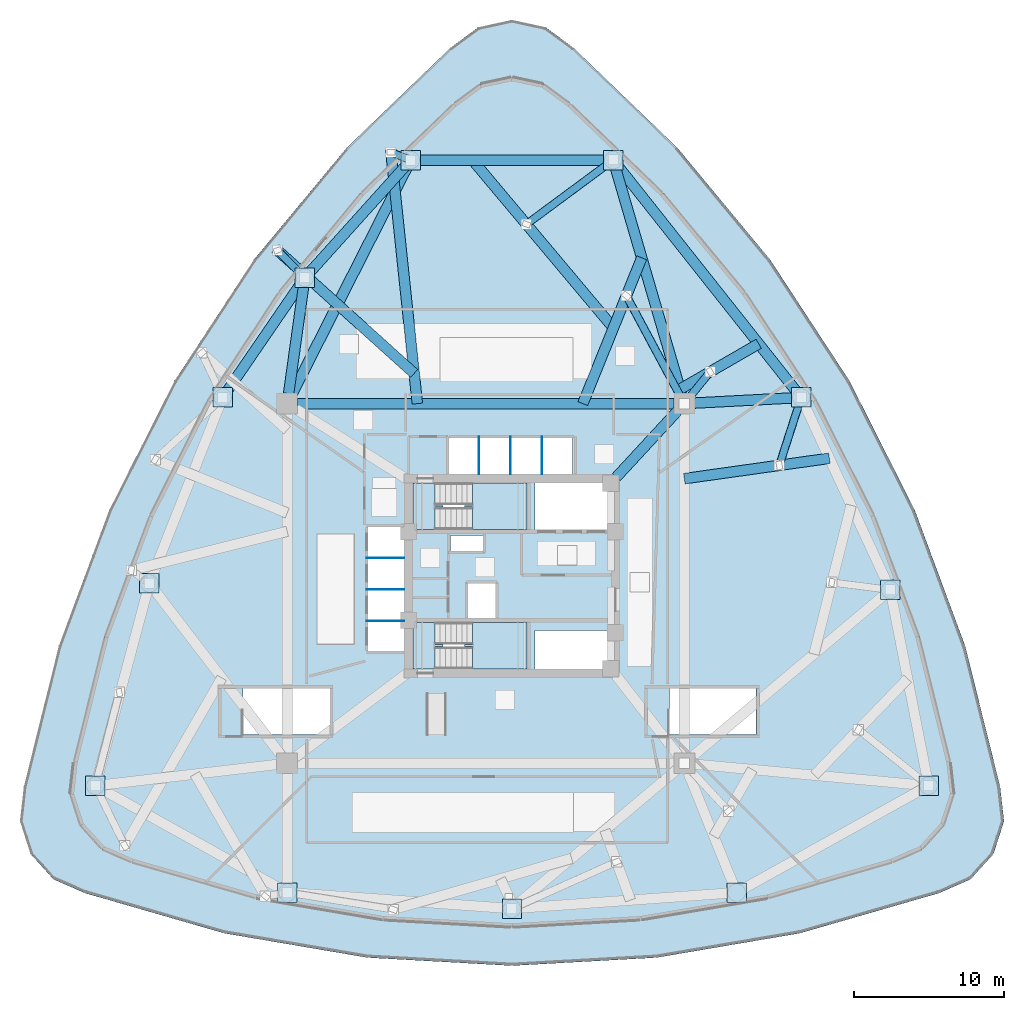
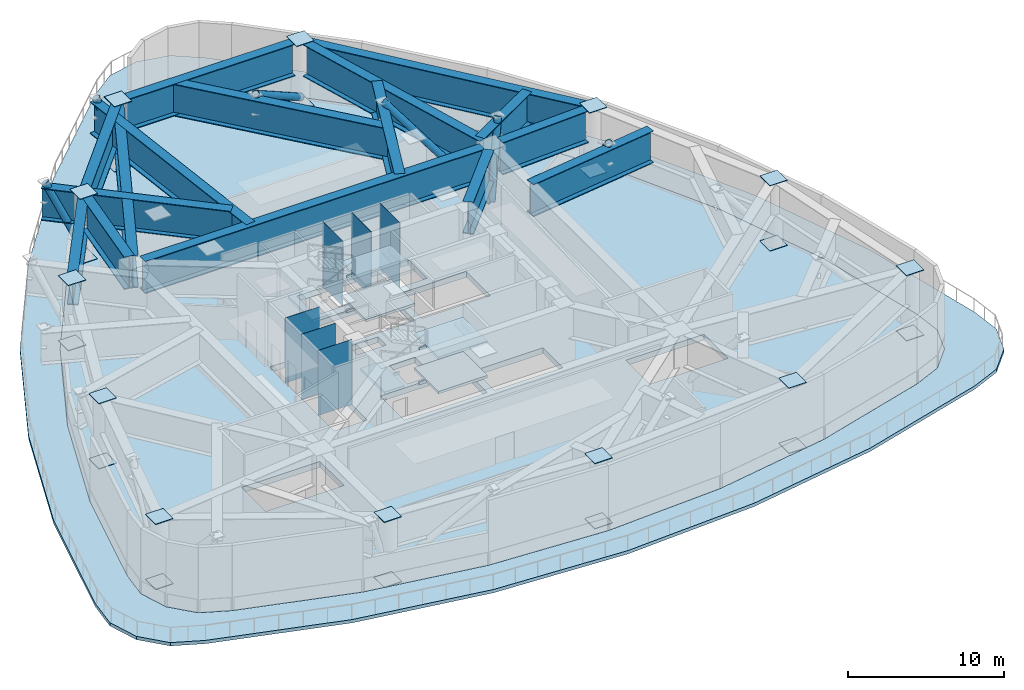
# One storey, part 2 of 9: 30 plates, 16 beams, 8 slabs, 6 members, 2 elements without a shape of their own.
"""IFC4 building model written with IfcOpenShell, lengths in metres."""

from ifc_helpers import new_model, si_unit, direction, frame, origin, origin_2d, place, context, subcontext, project, spatial, polyline, rectangle, hollow_circle, i_section, outline, extrude, source, transform, mapped, material, layer, layer_set, material_profile, profile_set, type_object, type_shapes, element, aggregate, save


model = new_model("IFC4")

# Units and contexts
model_context = context("Model", 3, precision=1e-05, world=origin(), true_north=direction((0.0, 1.0)))
body_context = subcontext(model_context, "Body", "Model", "MODEL_VIEW")
ifc_project = project(units=[si_unit("LENGTHUNIT", "METRE"), si_unit("AREAUNIT", "SQUARE_METRE"), si_unit("VOLUMEUNIT", "CUBIC_METRE"), si_unit("PLANEANGLEUNIT", "RADIAN"), si_unit("MASSUNIT", "GRAM", prefix="KILO")], contexts=[model_context])

# Site, building, storey
site_placement = place(None, origin())
site = spatial("IfcSite", under=ifc_project, at=site_placement, CompositionType="ELEMENT")
building_placement = place(site_placement, origin())
building = spatial("IfcBuilding", under=site, at=building_placement, Name="Tavelor Broadcast Tower", CompositionType="ELEMENT")
storey_placement = place(building_placement, frame((0.0, 0.0, 22.199951171875)))
storey = spatial("IfcBuildingStorey", under=building, at=storey_placement, Name="L04", CompositionType="ELEMENT", Elevation=22.199951171875)

# Beams
ifc_material_1 = material(Name="Steel S460", Category="steel")
ifc_material_profile_1 = material_profile(ifc_material_1, i_section(OverallWidth=0.699951171875, OverallDepth=2.5, WebThickness=0.031982421875, FlangeThickness=0.052001953125, at=origin_2d()), Name="PG 2500x700")
ifc_profile_set_1 = profile_set([ifc_material_profile_1], Name="Steel S460")
beam_type_1 = type_object("IfcBeamType", Name="Opposite Slide Transfer Girder HEB900", PredefinedType="BEAM", material=ifc_profile_set_1)
beam_1_placement = place(storey_placement, frame((43.685302734375, 56.5, 3.85009765625), z_axis=(-0.104527403744, 0.994522006728, 0.0), x_axis=(-0.994522006728, -0.104527403744, 0.0)))
element("IfcBeam", 1, at=beam_1_placement, inside=storey, type_object=beam_type_1, Name="L04 Cantilever Transfer Girder 01", PredefinedType="BEAM", context=body_context, shape_type="SweptSolid", body=[
    extrude(i_section(OverallWidth=0.699951171875, OverallDepth=2.5, WebThickness=0.031982421875, FlangeThickness=0.052001953125, at=origin_2d()), origin(), (0.0, 0.0, 1.0), 17.03857421875),
])
beam_2_placement = place(storey_placement, frame((43.47314453125, 58.518798828125, 3.85009765625), z_axis=(-0.743146870045, 0.669128335629, 0.0), x_axis=(-0.669128335629, -0.743146870045, 0.0)))
element("IfcBeam", 2, at=beam_2_placement, inside=storey, type_object=beam_type_1, Name="L04 Cantilever Transfer Girder 02", PredefinedType="BEAM", context=body_context, shape_type="SweptSolid", body=[
    extrude(i_section(OverallWidth=0.699951171875, OverallDepth=2.5, WebThickness=0.031982421875, FlangeThickness=0.052001953125, at=origin_2d()), origin(), (0.0, 0.0, 1.0), 12.447998046875),
])
beam_3_placement = place(storey_placement, frame((61.5, 51.491455078125, 3.85009765625), z_axis=(0.990266694595, 0.139182878173, 0.0), x_axis=(-0.139182878173, 0.990266694595, 0.0)))
element("IfcBeam", 3, at=beam_3_placement, inside=storey, type_object=beam_type_1, Name="L04 Transfer Header Girder 15", PredefinedType="BEAM", context=body_context, shape_type="SweptSolid", body=[
    extrude(i_section(OverallWidth=0.699951171875, OverallDepth=2.5, WebThickness=0.031982421875, FlangeThickness=0.052001953125, at=origin_2d()), origin(), (0.0, 0.0, 1.0), 9.77392578125),
])
beam_4_placement = place(storey_placement, frame((61.218017578125, 57.465576171875, 3.85009765625), z_axis=(0.866029171284, 0.499993474442, 0.0), x_axis=(-0.499993474442, 0.866029171284, 0.0)))
element("IfcBeam", 4, at=beam_4_placement, inside=storey, type_object=beam_type_1, Name="L04 Transfer Header Girder 16", PredefinedType="BEAM", context=body_context, shape_type="SweptSolid", body=[
    extrude(i_section(OverallWidth=0.699951171875, OverallDepth=2.5, WebThickness=0.031982421875, FlangeThickness=0.052001953125, at=origin_2d()), origin(), (0.0, 0.0, 1.0), 6.05615234375),
])
beam_5_placement = place(storey_placement, frame((54.726806640625, 56.5, 3.85009765625), z_axis=(0.37459344954, 0.927189164929, 0.0), x_axis=(-0.927189164929, 0.37459344954, 0.0)))
element("IfcBeam", 5, at=beam_5_placement, inside=storey, type_object=beam_type_1, Name="L04 Transfer Header Girder 17", PredefinedType="BEAM", context=body_context, shape_type="SweptSolid", body=[
    extrude(i_section(OverallWidth=0.699951171875, OverallDepth=2.5, WebThickness=0.031982421875, FlangeThickness=0.052001953125, at=origin_2d()), origin(), (0.0, 0.0, 1.0), 10.493896484375),
])
beam_6_placement = place(storey_placement, frame((56.76708984375, 61.550048828125, 3.85009765625), z_axis=(-0.642787100386, 0.766044870473, 0.0), x_axis=(-0.766044870473, -0.642787100386, 0.0)))
element("IfcBeam", 6, at=beam_6_placement, inside=storey, type_object=beam_type_1, Name="L04 Transfer Header Girder 18", PredefinedType="BEAM", context=body_context, shape_type="SweptSolid", body=[
    extrude(i_section(OverallWidth=0.699951171875, OverallDepth=2.5, WebThickness=0.031982421875, FlangeThickness=0.052001953125, at=origin_2d()), origin(), (0.0, 0.0, 1.0), 14.621826171875),
])
ifc_material_profile_2 = material_profile(ifc_material_1, i_section(OverallWidth=0.699951171875, OverallDepth=2.5, WebThickness=0.031982421875, FlangeThickness=0.052001953125, at=origin_2d()), Name="PG 2500x700")
ifc_profile_set_2 = profile_set([ifc_material_profile_2], Name="Steel S460")
beam_type_2 = type_object("IfcBeamType", Name="Podium Studio Transfer Truss Chord HEB1000", PredefinedType="BEAM", material=ifc_profile_set_2)
beam_7_placement = place(storey_placement, frame((60.820068359375, 56.5, 3.85009765625), z_axis=(-1.0, 0.0, 0.0), x_axis=(0.0, -1.0, 0.0)))
element("IfcBeam", 7, at=beam_7_placement, inside=storey, type_object=beam_type_2, Name="L04 Studio Ring Girder 3", PredefinedType="BEAM", context=body_context, shape_type="SweptSolid", body=[
    extrude(i_section(OverallWidth=0.699951171875, OverallDepth=2.5, WebThickness=0.031982421875, FlangeThickness=0.052001953125, at=origin_2d()), origin(), (0.0, 0.0, 1.0), 25.14013671875),
])
beam_8_placement = place(storey_placement, frame((61.038330078125, 56.000732421875, 3.85009765625), z_axis=(-0.678838365395, -0.734287732205, 0.0), x_axis=(0.734287732205, -0.678838365395, 0.0)))
element("IfcBeam", 8, at=beam_8_placement, inside=storey, type_object=beam_type_2, Name="L04 Core Tie Girder 3", PredefinedType="BEAM", context=body_context, shape_type="SweptSolid", body=[
    extrude(i_section(OverallWidth=0.699951171875, OverallDepth=2.5, WebThickness=0.031982421875, FlangeThickness=0.052001953125, at=origin_2d()), origin(), (0.0, 0.0, 1.0), 6.010009765625),
])
beam_9_placement = place(storey_placement, frame((42.85888671875, 72.320068359375, 3.85009765625), z_axis=(-0.669215412935, -0.74306845653, 0.0), x_axis=(0.74306845653, -0.669215412935, 0.0)))
element("IfcBeam", 9, at=beam_9_placement, inside=storey, type_object=beam_type_2, Name="L04 Podium Spandrel Girder 1", PredefinedType="BEAM", context=body_context, shape_type="SweptSolid", body=[
    extrude(i_section(OverallWidth=0.699951171875, OverallDepth=2.5, WebThickness=0.031982421875, FlangeThickness=0.052001953125, at=origin_2d()), origin(), (0.0, 0.0, 1.0), 9.414794921875),
])
beam_10_placement = place(storey_placement, frame((35.3076171875, 57.1064453125, 3.85009765625), z_axis=(0.45254782721, 0.891740132599, 0.0), x_axis=(-0.891740132599, 0.45254782721, 0.0)))
element("IfcBeam", 10, at=beam_10_placement, inside=storey, type_object=beam_type_2, Name="L04 Clear-Span Studio Girder 1", PredefinedType="BEAM", context=body_context, shape_type="SweptSolid", body=[
    extrude(i_section(OverallWidth=0.699951171875, OverallDepth=2.5, WebThickness=0.031982421875, FlangeThickness=0.052001953125, at=origin_2d()), origin(), (0.0, 0.0, 1.0), 16.9638671875),
])
beam_11_placement = place(storey_placement, frame((35.84228515625, 64.414794921875, 3.85009765625), z_axis=(-0.565364008772, -0.82484152271, 0.0), x_axis=(0.82484152271, -0.565364008772, 0.0)))
element("IfcBeam", 11, at=beam_11_placement, inside=storey, type_object=beam_type_2, Name="L04 Podium Spandrel Girder 2", PredefinedType="BEAM", context=body_context, shape_type="SweptSolid", body=[
    extrude(i_section(OverallWidth=0.699951171875, OverallDepth=2.5, WebThickness=0.031982421875, FlangeThickness=0.052001953125, at=origin_2d()), origin(), (0.0, 0.0, 1.0), 8.516845703125),
])
beam_12_placement = place(storey_placement, frame((35.093994140625, 57.173583984375, 3.85009765625), z_axis=(0.138070971987, 0.990422337538, 0.0), x_axis=(-0.990422337538, 0.138070971987, 0.0)))
element("IfcBeam", 12, at=beam_12_placement, inside=storey, type_object=beam_type_2, Name="L04 Clear-Span Studio Girder 2", PredefinedType="BEAM", context=body_context, shape_type="SweptSolid", body=[
    extrude(i_section(OverallWidth=0.699951171875, OverallDepth=2.5, WebThickness=0.031982421875, FlangeThickness=0.052001953125, at=origin_2d()), origin(), (0.0, 0.0, 1.0), 7.21435546875),
])
beam_13_placement = place(storey_placement, frame((68.940673828125, 57.36572265625, 3.85009765625), z_axis=(-0.620945854653, 0.783853459257, 0.0), x_axis=(-0.783853459257, -0.620945854653, 0.0)))
element("IfcBeam", 13, at=beam_13_placement, inside=storey, type_object=beam_type_2, Name="L04 Podium Spandrel Girder 11", PredefinedType="BEAM", context=body_context, shape_type="SweptSolid", body=[
    extrude(i_section(OverallWidth=0.699951171875, OverallDepth=2.5, WebThickness=0.031982421875, FlangeThickness=0.052001953125, at=origin_2d()), origin(), (0.0, 0.0, 1.0), 19.0478515625),
])
beam_14_placement = place(storey_placement, frame((62.17919921875, 56.535888671875, 3.85009765625), z_axis=(0.998614739388, 0.052617509218, 0.0), x_axis=(-0.052617509218, 0.998614739388, 0.0)))
element("IfcBeam", 14, at=beam_14_placement, inside=storey, type_object=beam_type_2, Name="L04 Clear-Span Studio Girder 11", PredefinedType="BEAM", context=body_context, shape_type="SweptSolid", body=[
    extrude(i_section(OverallWidth=0.699951171875, OverallDepth=2.5, WebThickness=0.031982421875, FlangeThickness=0.052001953125, at=origin_2d()), origin(), (0.0, 0.0, 1.0), 6.551513671875),
])
beam_15_placement = place(storey_placement, frame((56.1728515625, 72.7509765625, 3.85009765625), z_axis=(-1.0, 0.0, 0.0), x_axis=(0.0, -1.0, 0.0)))
element("IfcBeam", 15, at=beam_15_placement, inside=storey, type_object=beam_type_2, Name="L04 Podium Spandrel Girder 12", PredefinedType="BEAM", context=body_context, shape_type="SweptSolid", body=[
    extrude(i_section(OverallWidth=0.699951171875, OverallDepth=2.5, WebThickness=0.031982421875, FlangeThickness=0.052001953125, at=origin_2d()), origin(), (0.0, 0.0, 1.0), 12.345703125),
])
beam_16_placement = place(storey_placement, frame((61.309326171875, 57.152587890625, 3.85009765625), z_axis=(-0.280403801571, 0.959882132381, 0.0), x_axis=(-0.959882132381, -0.280403801571, 0.0)))
element("IfcBeam", 16, at=beam_16_placement, inside=storey, type_object=beam_type_2, Name="L04 Clear-Span Studio Girder 12", PredefinedType="BEAM", context=body_context, shape_type="SweptSolid", body=[
    extrude(i_section(OverallWidth=0.699951171875, OverallDepth=2.5, WebThickness=0.031982421875, FlangeThickness=0.052001953125, at=origin_2d()), origin(), (0.0, 0.0, 1.0), 15.67041015625),
])

# Members
ifc_material_profile_3 = material_profile(ifc_material_1, hollow_circle(Radius=0.25390625, WallThickness=0.02490234375, at=origin_2d()), Name="CHS 508x25")
ifc_profile_set_3 = profile_set([ifc_material_profile_3], Name="Steel S460")
member_type = type_object("IfcMemberType", Name="Podium Transfer Truss Diagonal CHS508", PredefinedType="BRACE", material=ifc_profile_set_3)
member_1_placement = place(storey_placement, frame((43.247314453125, 72.7509765625, 0.550048828125), z_axis=(-0.262015516963, 0.101975434423, 0.959660814895), x_axis=(-0.362694984017, -0.931907907773, 0.0)))
element("IfcMember", 17, at=member_1_placement, inside=storey, type_object=member_type, Name="L04 Podium Transfer Truss Diagonal 1", PredefinedType="BRACE", context=body_context, shape_type="SweptSolid", body=[
    extrude(hollow_circle(Radius=0.25390625, WallThickness=0.02490234375, at=origin_2d()), origin(), (0.0, 0.0, 1.0), 5.053955078125),
])
member_2_placement = place(storey_placement, frame((36.170166015625, 64.893310546875, 0.550048828125), z_axis=(-0.330198399226, 0.333931463228, 0.882869636478), x_axis=(-0.711070184594, -0.703121036936, 0.0)))
element("IfcMember", 18, at=member_2_placement, inside=storey, type_object=member_type, Name="L04 Podium Transfer Truss Diagonal 2", PredefinedType="BRACE", context=body_context, shape_type="SweptSolid", body=[
    extrude(hollow_circle(Radius=0.25390625, WallThickness=0.02490234375, at=origin_2d()), origin(), (0.0, 0.0, 1.0), 5.49365234375),
])
member_3_placement = place(storey_placement, frame((69.30078125, 56.9111328125, 0.550048828125), z_axis=(-0.214879520919, -0.666521778183, 0.713845579028), x_axis=(0.951761800219, -0.3068378654, 0.0)))
element("IfcMember", 19, at=member_3_placement, inside=storey, type_object=member_type, Name="L04 Podium Transfer Truss Diagonal 15", PredefinedType="BRACE", context=body_context, shape_type="SweptSolid", body=[
    extrude(hollow_circle(Radius=0.25390625, WallThickness=0.02490234375, at=origin_2d()), origin(), (0.0, 0.0, 1.0), 6.79443359375),
])
member_4_placement = place(storey_placement, frame((61.5, 56.5, 0.550048828125), z_axis=(0.309628933628, 0.381402165623, 0.871012233851), x_axis=(-0.776373280313, 0.63027337689, 0.0)))
element("IfcMember", 20, at=member_4_placement, inside=storey, type_object=member_type, Name="L04 Podium Transfer Truss Diagonal 16", PredefinedType="BRACE", context=body_context, shape_type="SweptSolid", body=[
    extrude(hollow_circle(Radius=0.25390625, WallThickness=0.02490234375, at=origin_2d()), origin(), (0.0, 0.0, 1.0), 5.568359375),
])
member_5_placement = place(storey_placement, frame((61.5, 56.5, 0.550048828125), z_axis=(-0.406819120768, 0.757569562815, 0.510476797194), x_axis=(-0.881005962208, -0.473105162257, 0.0)))
element("IfcMember", 21, at=member_5_placement, inside=storey, type_object=member_type, Name="L04 Podium Transfer Truss Diagonal 17", PredefinedType="BRACE", context=body_context, shape_type="SweptSolid", body=[
    extrude(hollow_circle(Radius=0.25390625, WallThickness=0.02490234375, at=origin_2d()), origin(), (0.0, 0.0, 1.0), 9.501220703125),
])
member_6_placement = place(storey_placement, frame((56.752685546875, 72.7509765625, 0.550048828125), z_axis=(-0.666902227097, -0.493196676315, 0.558568221406), x_axis=(0.59460072633, -0.80402112923, 0.0)))
element("IfcMember", 22, at=member_6_placement, inside=storey, type_object=member_type, Name="L04 Podium Transfer Truss Diagonal 18", PredefinedType="BRACE", context=body_context, shape_type="SweptSolid", body=[
    extrude(hollow_circle(Radius=0.25390625, WallThickness=0.02490234375, at=origin_2d()), origin(), (0.0, 0.0, 1.0), 8.68310546875),
])

# Slab
ifc_material_2 = material(Name="Concrete C40/50", Category="concrete")
ifc_layer_1 = layer(ifc_material_2, 0.260009765625)
ifc_layer_set_1 = layer_set([ifc_layer_1], Name="Concrete C40/50")
slab_type_1 = type_object("IfcSlabType", Name="Cascading Planted Terrace Roof Slab 260 mm", PredefinedType="ROOF", material=ifc_layer_set_1)
slab_1_placement = place(storey_placement, frame((0.0, 0.0, -0.260009765625)))
element("IfcSlab", 23, at=slab_1_placement, inside=storey, type_object=slab_type_1, Name="L04 Cascading Planted Garden Terrace Slab 1", PredefinedType="ROOF", context=body_context, shape_type="SweptSolid", body=[
    extrude(outline(polyline([(54.088134765625, 80.254150390625), (52.242919921875, 81.6171875), (50.0, 82.10009765625), (47.757080078125, 81.6171875), (45.911865234375, 80.254150390625), (38.944580078125, 73.544921875), (32.77294921875, 66.09716796875), (27.474609375, 58.005126953125), (23.11572265625, 49.370361328125), (19.751708984375, 40.3017578125), (17.425048828125, 30.913330078125), (17.167236328125, 28.6337890625), (17.87060546875, 26.449951171875), (19.409912109375, 24.7490234375), (21.51318359375, 23.83251953125), (30.80712890625, 21.1533203125), (40.3427734375, 19.532470703125), (50.0, 18.98974609375), (59.6572265625, 19.532470703125), (69.19287109375, 21.1533203125), (78.48681640625, 23.83251953125), (80.590087890625, 24.7490234375), (82.12939453125, 26.449951171875), (82.832763671875, 28.6337890625), (82.574951171875, 30.913330078125), (80.248291015625, 40.3017578125), (76.88427734375, 49.370361328125), (72.525390625, 58.005126953125), (67.22705078125, 66.09716796875), (61.055419921875, 73.544921875), (54.088134765625, 80.254150390625)]), holes=[polyline([(53.8876953125, 76.5234375), (60.089111328125, 70.551513671875), (65.58251953125, 63.92236328125), (70.298828125, 56.719482421875), (74.178466796875, 49.03369140625), (77.1728515625, 40.961669921875), (79.243896484375, 32.60498046875), (79.4892578125, 30.435546875), (78.82080078125, 28.360107421875), (77.35791015625, 26.743896484375), (75.356201171875, 25.87158203125), (67.083740234375, 23.48681640625), (58.595947265625, 22.0439453125), (50.0, 21.560791015625), (41.404052734375, 22.0439453125), (32.916259765625, 23.48681640625), (24.643798828125, 25.87158203125), (22.64208984375, 26.743896484375), (21.17919921875, 28.360107421875), (20.5107421875, 30.435546875), (20.756103515625, 32.60498046875), (22.8271484375, 40.961669921875), (25.821533203125, 49.03369140625), (29.701171875, 56.719482421875), (34.41748046875, 63.92236328125), (39.910888671875, 70.551513671875), (46.1123046875, 76.5234375), (47.868408203125, 77.82080078125), (50.0, 78.279541015625), (52.131591796875, 77.82080078125), (53.8876953125, 76.5234375)])]), origin(), (0.0, 0.0, 1.0), 0.260009765625),
])

# Stair, slabs
stair_type = type_object("IfcStairType", Name="Reinforced Concrete Protected Dogleg Stair 1450 mm", PredefinedType="HALF_TURN_STAIR", material=ifc_material_2)
stair_1_placement = place(storey_placement, origin())
stair_1 = element("IfcStair", 24, at=stair_1_placement, inside=storey, type_object=stair_type, Name="L04 Protected Core Exit Stair ST1", PredefinedType="HALF_TURN_STAIR")
ifc_layer_2 = layer(ifc_material_2, 0.199951171875)
ifc_layer_set_2 = layer_set([ifc_layer_2], Name="Concrete C40/50")
slab_type_2 = type_object("IfcSlabType", Name="Reinforced Concrete Stair Half-Landing Slab 200 mm", PredefinedType="LANDING", material=ifc_layer_set_2)
slab_2_placement = place(storey_placement, frame((0.0, 0.0, 1.150146484375)))
slab_2 = element("IfcSlab", 25, at=slab_2_placement, type_object=slab_type_2, Name="ST1 landing 1", PredefinedType="LANDING", context=body_context, shape_type="SweptSolid", body=[
    extrude(outline(polyline([(47.364990234375, 49.590087890625), (47.364990234375, 48.094970703125), (51.0048828125, 48.094970703125), (51.0048828125, 51.205078125), (47.364990234375, 51.205078125), (47.364990234375, 49.7099609375), (46.824951171875, 49.7099609375), (46.824951171875, 49.590087890625), (47.364990234375, 49.590087890625)])), origin(), (0.0, 0.0, 1.0), 0.199951171875),
])
slab_3_placement = place(storey_placement, frame((0.0, 0.0, 2.5)))
slab_3 = element("IfcSlab", 26, at=slab_3_placement, type_object=slab_type_2, Name="ST1 landing 2", PredefinedType="LANDING", context=body_context, shape_type="SweptSolid", body=[
    extrude(outline(polyline([(43.39501953125, 48.094970703125), (44.85498046875, 48.094970703125), (44.85498046875, 49.590087890625), (45.39501953125, 49.590087890625), (45.39501953125, 49.7099609375), (44.85498046875, 49.7099609375), (44.85498046875, 51.205078125), (43.39501953125, 51.205078125), (43.39501953125, 48.094970703125)])), origin(), (0.0, 0.0, 1.0), 0.199951171875),
])
slab_4_placement = place(storey_placement, frame((0.0, 0.0, 3.85009765625)))
slab_4 = element("IfcSlab", 27, at=slab_4_placement, type_object=slab_type_2, Name="ST1 landing 3", PredefinedType="LANDING", context=body_context, shape_type="SweptSolid", body=[
    extrude(outline(polyline([(47.364990234375, 49.590087890625), (47.364990234375, 48.094970703125), (51.0048828125, 48.094970703125), (51.0048828125, 51.205078125), (47.364990234375, 51.205078125), (47.364990234375, 49.7099609375), (46.824951171875, 49.7099609375), (46.824951171875, 49.590087890625), (47.364990234375, 49.590087890625)])), origin(), (0.0, 0.0, 1.0), 0.199951171875),
])
aggregate(stair_1, [slab_2, slab_3, slab_4])

stair_2_placement = place(storey_placement, origin())
stair_2 = element("IfcStair", 28, at=stair_2_placement, inside=storey, type_object=stair_type, Name="L04 Protected Core Exit Stair ST2", PredefinedType="HALF_TURN_STAIR")
slab_5_placement = place(storey_placement, frame((0.0, 0.0, 1.150146484375)))
slab_5 = element("IfcSlab", 29, at=slab_5_placement, type_object=slab_type_2, Name="ST2 landing 1", PredefinedType="LANDING", context=body_context, shape_type="SweptSolid", body=[
    extrude(outline(polyline([(47.364990234375, 40.2900390625), (47.364990234375, 38.794921875), (51.0048828125, 38.794921875), (51.0048828125, 41.905029296875), (47.364990234375, 41.905029296875), (47.364990234375, 40.409912109375), (46.824951171875, 40.409912109375), (46.824951171875, 40.2900390625), (47.364990234375, 40.2900390625)])), origin(), (0.0, 0.0, 1.0), 0.199951171875),
])
slab_6_placement = place(storey_placement, frame((0.0, 0.0, 2.5)))
slab_6 = element("IfcSlab", 30, at=slab_6_placement, type_object=slab_type_2, Name="ST2 landing 2", PredefinedType="LANDING", context=body_context, shape_type="SweptSolid", body=[
    extrude(outline(polyline([(43.39501953125, 38.794921875), (44.85498046875, 38.794921875), (44.85498046875, 40.2900390625), (45.39501953125, 40.2900390625), (45.39501953125, 40.409912109375), (44.85498046875, 40.409912109375), (44.85498046875, 41.905029296875), (43.39501953125, 41.905029296875), (43.39501953125, 38.794921875)])), origin(), (0.0, 0.0, 1.0), 0.199951171875),
])
slab_7_placement = place(storey_placement, frame((0.0, 0.0, 3.85009765625)))
slab_7 = element("IfcSlab", 31, at=slab_7_placement, type_object=slab_type_2, Name="ST2 landing 3", PredefinedType="LANDING", context=body_context, shape_type="SweptSolid", body=[
    extrude(outline(polyline([(47.364990234375, 40.2900390625), (47.364990234375, 38.794921875), (51.0048828125, 38.794921875), (51.0048828125, 41.905029296875), (47.364990234375, 41.905029296875), (47.364990234375, 40.409912109375), (46.824951171875, 40.409912109375), (46.824951171875, 40.2900390625), (47.364990234375, 40.2900390625)])), origin(), (0.0, 0.0, 1.0), 0.199951171875),
])
aggregate(stair_2, [slab_5, slab_6, slab_7])

# Slab
ifc_layer_3 = layer(ifc_material_2, 0.449951171875)
ifc_layer_set_3 = layer_set([ifc_layer_3], Name="Concrete C40/50")
slab_type_3 = type_object("IfcSlabType", Name="Transfer Structural Floor Slab 450 mm", PredefinedType="FLOOR", material=ifc_layer_set_3)
slab_8_placement = place(storey_placement, frame((0.0, 0.0, -0.449951171875)))
element("IfcSlab", 32, at=slab_8_placement, inside=storey, type_object=slab_type_3, Name="L04 Structural Floor Slab", PredefinedType="FLOOR", context=body_context, shape_type="SweptSolid", body=[
    extrude(outline(polyline([(53.900634765625, 76.538818359375), (52.139892578125, 77.83935546875), (50.0, 78.300048828125), (47.860107421875, 77.83935546875), (46.099365234375, 76.538818359375), (39.896240234375, 70.565185546875), (34.4013671875, 63.934326171875), (29.683837890625, 56.7294921875), (25.802978515625, 49.041748046875), (22.80810546875, 40.967529296875), (20.736328125, 32.608642578125), (20.490478515625, 30.43359375), (21.161376953125, 28.35009765625), (22.63037109375, 26.727294921875), (24.636962890625, 25.8525390625), (32.91162109375, 23.46728515625), (41.40185546875, 22.02392578125), (50.0, 21.541015625), (58.59814453125, 22.02392578125), (67.08837890625, 23.46728515625), (75.363037109375, 25.8525390625), (77.36962890625, 26.727294921875), (78.838623046875, 28.35009765625), (79.509521484375, 30.43359375), (79.263671875, 32.608642578125), (77.19189453125, 40.967529296875), (74.197021484375, 49.041748046875), (70.316162109375, 56.7294921875), (65.5986328125, 63.934326171875), (60.103759765625, 70.565185546875), (53.900634765625, 76.538818359375)]), holes=[polyline([(37.845947265625, 34.404052734375), (32.053955078125, 34.404052734375), (32.053955078125, 37.49609375), (37.845947265625, 37.49609375), (37.845947265625, 34.404052734375)]), polyline([(66.2958984375, 34.404052734375), (60.50390625, 34.404052734375), (60.50390625, 37.49609375), (66.2958984375, 37.49609375), (66.2958984375, 34.404052734375)]), polyline([(56.60009765625, 38.800048828125), (51.52001953125, 38.800048828125), (51.52001953125, 41.35009765625), (56.60009765625, 41.35009765625), (56.60009765625, 38.800048828125)]), polyline([(44.85400390625, 38.803955078125), (44.85400390625, 41.89599609375), (50.99609375, 41.89599609375), (50.99609375, 38.803955078125), (44.85400390625, 38.803955078125)]), polyline([(47.050048828125, 44.550048828125), (48.949951171875, 44.550048828125), (48.949951171875, 42.199951171875), (47.050048828125, 42.199951171875), (47.050048828125, 44.550048828125)]), polyline([(40.35009765625, 40.0), (40.35009765625, 48.25), (42.800048828125, 48.25), (42.800048828125, 40.0), (40.35009765625, 40.0)]), polyline([(48.050048828125, 46.64990234375), (45.89990234375, 46.64990234375), (45.89990234375, 47.699951171875), (48.050048828125, 47.699951171875), (48.050048828125, 46.64990234375)]), polyline([(50.99609375, 48.10400390625), (44.85400390625, 48.10400390625), (44.85400390625, 51.196044921875), (50.99609375, 51.196044921875), (50.99609375, 48.10400390625)]), polyline([(51.52001953125, 48.10009765625), (51.52001953125, 51.199951171875), (56.60009765625, 51.199951171875), (56.60009765625, 48.10009765625), (51.52001953125, 48.10009765625)]), polyline([(45.800048828125, 51.800048828125), (45.800048828125, 54.25), (54.050048828125, 54.25), (54.050048828125, 51.800048828125), (45.800048828125, 51.800048828125)])]), origin(), (0.0, 0.0, 1.0), 0.449951171875),
])

# Plates
ifc_layer_4 = layer(ifc_material_1, 0.050048828125)
ifc_layer_set_4 = layer_set([ifc_layer_4], Name="Steel S460")
plate_type_1 = type_object("IfcPlateType", Name="Tube Hollow-End Cap Plate KN05 700x700x50", PredefinedType="USERDEFINED", material=ifc_layer_set_4)
shared_shape_1 = source(origin(), body_context, "Body", "SweptSolid", [
    extrude(rectangle(XDim=1.299072265625, YDim=1.299072265625, at=origin_2d()), origin(), (0.0, 0.0, 1.0), 0.054931640625),
])
type_shapes(plate_type_1, [shared_shape_1])
for number, where, z_axis, x_axis, name in (
    (33, (43.247314453125, 72.7509765625, -0.02734375), (0.0, 0.0, 1.0), (1.0, 0.0, 0.0), "L04 Hollow End Cap Plate KN05 #165"),
    (34, (43.247314453125, 72.7509765625, 5.07275390625), (0.0, 0.0, 1.0), (1.0, 0.0, 0.0), "L04 Hollow End Cap Plate KN05 #166"),
    (35, (36.170166015625, 64.893310546875, -0.02734375), (0.0, 0.0, 1.0), (1.0, 0.0, 0.0), "L04 Hollow End Cap Plate KN05 #167"),
    (36, (36.170166015625, 64.893310546875, 5.07275390625), (0.0, 0.0, 1.0), (1.0, 0.0, 0.0), "L04 Hollow End Cap Plate KN05 #168"),
    (37, (30.69921875, 56.9111328125, -0.02734375), (0.0, 0.0, 1.0), (1.0, 0.0, 0.0), "L04 Hollow End Cap Plate KN05 #169"),
    (38, (30.69921875, 56.9111328125, 5.07275390625), (0.0, 0.0, 1.0), (1.0, 0.0, 0.0), "L04 Hollow End Cap Plate KN05 #170"),
    (39, (25.800048828125, 44.5, -0.02734375), (0.0, 0.0, 1.0), (1.0, 0.0, 0.0), "L04 Hollow End Cap Plate KN05 #171"),
    (40, (25.800048828125, 44.5, 5.07275390625), (0.0, 0.0, 1.0), (1.0, 0.0, 0.0), "L04 Hollow End Cap Plate KN05 #172"),
    (41, (22.199951171875, 31.0, -0.02734375), (0.0, 0.0, 1.0), (1.0, 0.0, 0.0), "L04 Hollow End Cap Plate KN05 #173"),
    (42, (22.199951171875, 31.0, 5.07275390625), (0.0, 0.0, 1.0), (1.0, 0.0, 0.0), "L04 Hollow End Cap Plate KN05 #174"),
    (43, (35.01220703125, 23.87109375, -0.02734375), (0.0, 0.0, 1.0), (1.0, 0.0, 0.0), "L04 Hollow End Cap Plate KN05 #175"),
    (44, (35.01220703125, 23.87109375, 5.07275390625), (0.0, 0.0, 1.0), (1.0, 0.0, 0.0), "L04 Hollow End Cap Plate KN05 #176"),
    (45, (50.0, 22.800048828125, -0.02734375), (0.0, 0.0, 1.0), (1.0, 0.0, 0.0), "L04 Hollow End Cap Plate KN05 #177"),
    (46, (50.0, 22.800048828125, 5.07275390625), (0.0, 0.0, 1.0), (1.0, 0.0, 0.0), "L04 Hollow End Cap Plate KN05 #178"),
    (47, (64.98779296875, 23.87109375, -0.02734375), (0.0, 0.0, 1.0), (1.0, 0.0, 0.0), "L04 Hollow End Cap Plate KN05 #179"),
    (48, (64.98779296875, 23.87109375, 5.07275390625), (0.0, 0.0, 1.0), (1.0, 0.0, 0.0), "L04 Hollow End Cap Plate KN05 #180"),
    (49, (77.800048828125, 31.0, -0.02734375), (0.0, 0.0, 1.0), (1.0, 0.0, 0.0), "L04 Hollow End Cap Plate KN05 #181"),
    (50, (77.800048828125, 31.0, 5.07275390625), (0.0, 0.0, 1.0), (1.0, 0.0, 0.0), "L04 Hollow End Cap Plate KN05 #182"),
    (51, (75.2412109375, 44.070068359375, -0.02734375), (0.0, 0.0, 1.0), (1.0, 0.0, 0.0), "L04 Hollow End Cap Plate KN05 #183"),
    (52, (75.2412109375, 44.070068359375, 5.07275390625), (0.0, 0.0, 1.0), (1.0, 0.0, 0.0), "L04 Hollow End Cap Plate KN05 #184"),
    (53, (69.30078125, 56.9111328125, -0.02734375), (0.0, 0.0, 1.0), (1.0, 0.0, 0.0), "L04 Hollow End Cap Plate KN05 #185"),
    (54, (69.30078125, 56.9111328125, 5.07275390625), (0.0, 0.0, 1.0), (1.0, 0.0, 0.0), "L04 Hollow End Cap Plate KN05 #186"),
    (55, (56.752685546875, 72.7509765625, -0.02734375), (0.0, 0.0, 1.0), (1.0, 0.0, 0.0), "L04 Hollow End Cap Plate KN05 #187"),
    (56, (56.752685546875, 72.7509765625, 5.07275390625), (0.0, 0.0, 1.0), (1.0, 0.0, 0.0), "L04 Hollow End Cap Plate KN05 #188"),
):
    element("IfcPlate", number, at=place(storey_placement, frame(where, z_axis=z_axis, x_axis=x_axis)), inside=storey, type_object=plate_type_1, Name=name, ObjectType="CAP PLATE", PredefinedType="USERDEFINED", context=body_context, shape_type="MappedRepresentation", body=[
        mapped(shared_shape_1, transform((0.0, 0.0, 0.0), scale=1.0)),
    ])
ifc_material_3 = material(Name="Steel S355", Category="steel")
ifc_layer_5 = layer(ifc_material_3, 0.011962890625)
ifc_layer_set_5 = layer_set([ifc_layer_5], Name="Steel S355")
plate_type_2 = type_object("IfcPlateType", Name="Hoistway Steel Separator Screen 12 mm", PredefinedType="SHEET", material=ifc_layer_set_5)
shared_shape_2 = source(origin(), body_context, "Body", "SweptSolid", [
    extrude(rectangle(XDim=2.52001953125, YDim=0.02001953125, at=origin_2d()), origin(), (0.0, 0.0, 1.0), 5.10009765625),
])
for number, where, z_axis, x_axis, name in (
    (57, (41.56005859375, 42.0, 0.0), (0.0, 0.0, 1.0), (1.0, 0.0, 0.0), "L04 Low-Rise Hoistway Separator Screen 1"),
    (58, (41.56005859375, 44.10009765625, 0.0), (0.0, 0.0, 1.0), (1.0, 0.0, 0.0), "L04 Low-Rise Hoistway Separator Screen 2"),
    (59, (41.56005859375, 46.199951171875, 0.0), (0.0, 0.0, 1.0), (1.0, 0.0, 0.0), "L04 Low-Rise Hoistway Separator Screen 3"),
):
    element("IfcPlate", number, at=place(storey_placement, frame(where, z_axis=z_axis, x_axis=x_axis)), inside=storey, type_object=plate_type_2, Name=name, PredefinedType="SHEET", context=body_context, shape_type="MappedRepresentation", body=[
        mapped(shared_shape_2, transform((0.0, 0.0, 0.0), scale=1.0)),
    ])
shared_shape_3 = source(origin(), body_context, "Body", "SweptSolid", [
    extrude(rectangle(XDim=0.02001953125, YDim=2.52001953125, at=origin_2d()), origin(), (0.0, 0.0, 1.0), 5.10009765625),
])
type_shapes(plate_type_2, [shared_shape_2, shared_shape_3])
for number, where, z_axis, x_axis, name in (
    (60, (47.800048828125, 53.0400390625, 0.0), (0.0, 0.0, 1.0), (1.0, 0.0, 0.0), "L04 High-Rise Hoistway Separator Screen 1"),
    (61, (49.89990234375, 53.0400390625, 0.0), (0.0, 0.0, 1.0), (1.0, 0.0, 0.0), "L04 High-Rise Hoistway Separator Screen 2"),
    (62, (52.0, 53.0400390625, 0.0), (0.0, 0.0, 1.0), (1.0, 0.0, 0.0), "L04 High-Rise Hoistway Separator Screen 3"),
):
    element("IfcPlate", number, at=place(storey_placement, frame(where, z_axis=z_axis, x_axis=x_axis)), inside=storey, type_object=plate_type_2, Name=name, PredefinedType="SHEET", context=body_context, shape_type="MappedRepresentation", body=[
        mapped(shared_shape_3, transform((0.0, 0.0, 0.0), scale=1.0)),
    ])

save(model, "model.ifc")
